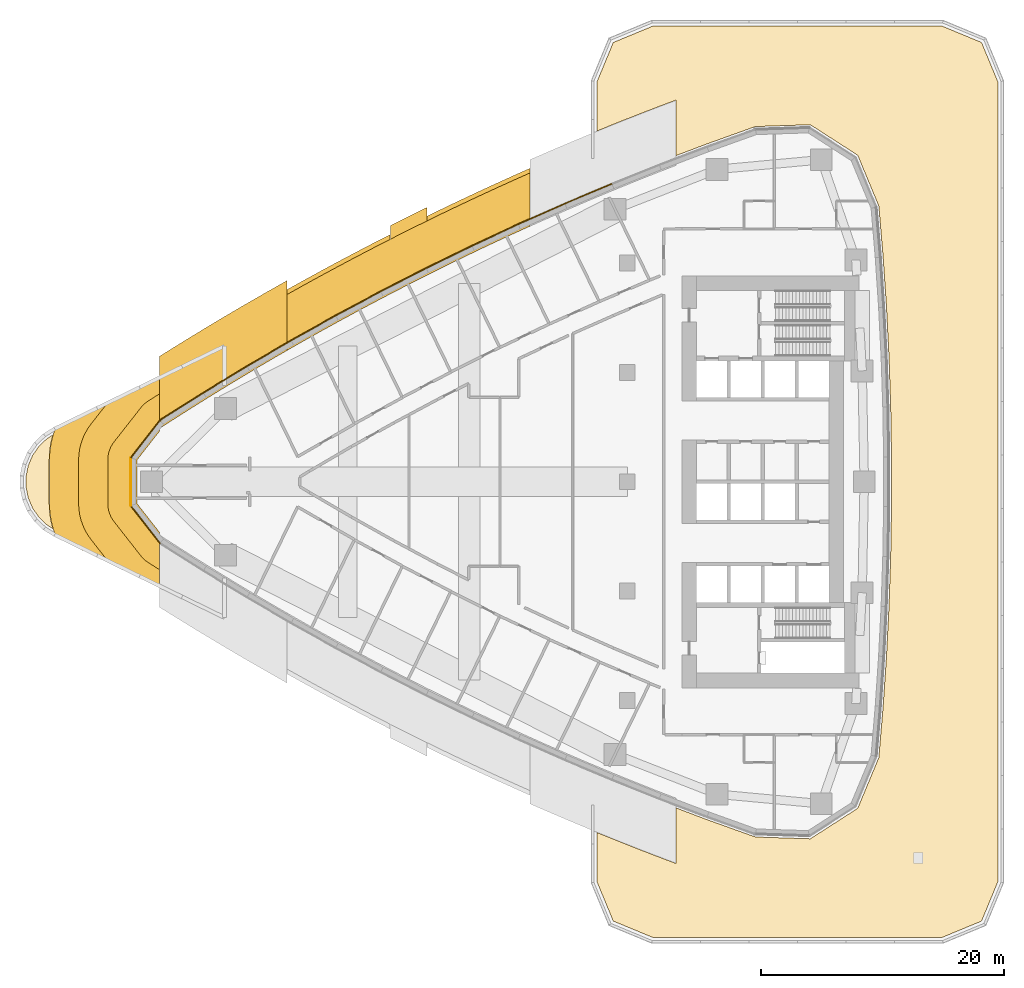
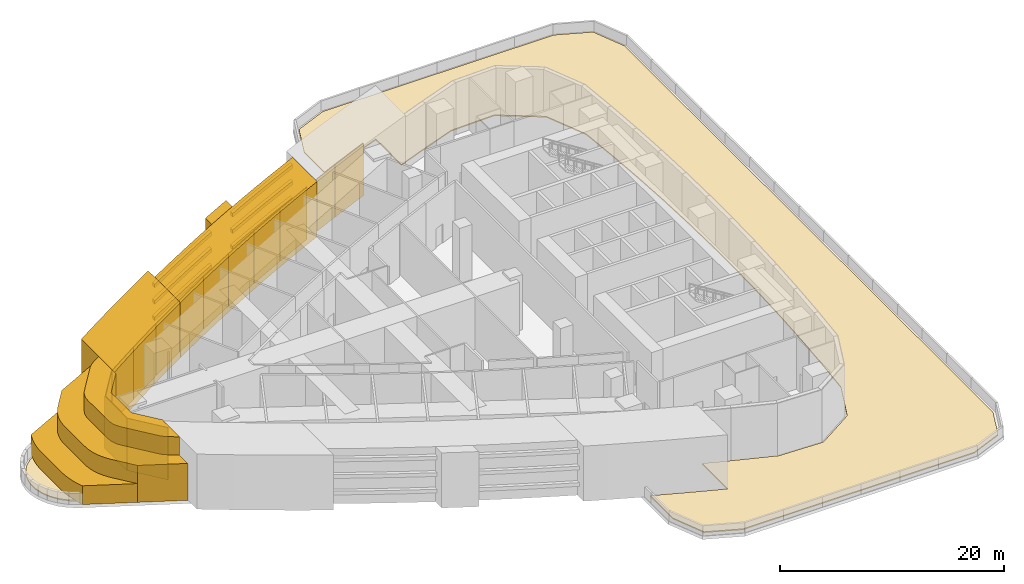
# One storey, part 10 of 14: 27 coverings.
"""IFC4 building model written with IfcOpenShell, lengths in metres."""

from ifc_helpers import new_model, si_unit, direction, frame, origin, place, context, subcontext, project, spatial, polyline, outline, extrude, material, layer, layer_set, type_object, element, save


model = new_model("IFC4")

# Units and contexts
model_context = context("Model", 3, precision=1e-05, world=origin(), true_north=direction((0.0, 1.0)))
body_context = subcontext(model_context, "Body", "Model", "MODEL_VIEW")
ifc_project = project(units=[si_unit("LENGTHUNIT", "METRE"), si_unit("AREAUNIT", "SQUARE_METRE"), si_unit("VOLUMEUNIT", "CUBIC_METRE"), si_unit("PLANEANGLEUNIT", "RADIAN"), si_unit("MASSUNIT", "GRAM", prefix="KILO")], contexts=[model_context])

# Site, building, storey
site_placement = place(None, origin())
site = spatial("IfcSite", under=ifc_project, at=site_placement, CompositionType="ELEMENT")
building_placement = place(site_placement, origin())
building = spatial("IfcBuilding", under=site, at=building_placement, Name="Ostrand Prow Hotel Tower", CompositionType="ELEMENT")
storey_placement = place(building_placement, frame((0.0, 0.0, 29.0)))
storey = spatial("IfcBuildingStorey", under=building, at=storey_placement, Name="L05", CompositionType="ELEMENT", Elevation=29.0)

# Coverings
ifc_material_1 = material(Name="Limestone cladding", Category="masonry")
ifc_layer_1 = layer(ifc_material_1, 5.0)
ifc_layer_set_1 = layer_set([ifc_layer_1], Name="Limestone cladding")
covering_type_1 = type_object("IfcCoveringType", Name="Portal jamb pilaster limestone", PredefinedType="CLADDING", material=ifc_layer_set_1)
covering_1_placement = place(storey_placement, origin())
element("IfcCovering", 1, at=covering_1_placement, inside=storey, type_object=covering_type_1, Name="Portal jamb NA L05", PredefinedType="CLADDING", context=body_context, shape_type="SweptSolid", body=[
    extrude(outline(polyline([(6.5, 4.3837890625), (7.45458984375, 5.00048828125), (8.4091796875, 5.610595703125), (9.363525390625, 6.214111328125), (10.318115234375, 6.810791015625), (11.272705078125, 7.401123046875), (12.227294921875, 7.98486328125), (13.181884765625, 8.562255859375), (14.136474609375, 9.13330078125), (15.0908203125, 9.697998046875), (16.04541015625, 10.25634765625), (17.0, 10.80859375), (17.0, 16.556640625), (16.04541015625, 16.020263671875), (15.0908203125, 15.4775390625), (14.136474609375, 14.92919921875), (13.181884765625, 14.37451171875), (12.227294921875, 13.81396484375), (11.272705078125, 13.247314453125), (10.318115234375, 12.67431640625), (9.363525390625, 12.09521484375), (8.4091796875, 11.509521484375), (7.45458984375, 10.917724609375), (6.5, 10.319580078125), (6.5, 4.3837890625)])), origin(), (0.0, 0.0, 1.0), 6.0),
])
ifc_material_2 = material(Name="Limestone cladding", Category="masonry")
ifc_layer_2 = layer(ifc_material_2, 1.0)
ifc_layer_set_2 = layer_set([ifc_layer_2], Name="Limestone cladding")
covering_type_2 = type_object("IfcCoveringType", Name="Portal keystone limestone", PredefinedType="CLADDING", material=ifc_layer_set_2)
covering_2_placement = place(storey_placement, origin())
element("IfcCovering", 2, at=covering_2_placement, inside=storey, type_object=covering_type_2, Name="Portal keystone N L05", PredefinedType="CLADDING", context=body_context, shape_type="SweptSolid", body=[
    extrude(outline(polyline([(27.0, 21.83251953125), (25.5, 21.080322265625), (25.5, 19.958740234375), (25.5712890625, 19.995361328125), (27.0, 20.71533203125), (28.4287109375, 21.4228515625), (28.5, 21.457763671875), (28.5, 22.5712890625), (27.0, 21.83251953125)])), origin(), (0.0, 0.0, 1.0), 6.0),
])
ifc_material_3 = material(Name="Limestone cladding", Category="masonry")
ifc_layer_3 = layer(ifc_material_3, 0.35009765625)
ifc_layer_set_3 = layer_set([ifc_layer_3], Name="Limestone cladding")
covering_type_3 = type_object("IfcCoveringType", Name="Portal lintel course limestone 350 mm", PredefinedType="CLADDING", material=ifc_layer_set_3)
covering_3_placement = place(storey_placement, frame((0.0, 0.0, 1.199951171875)))
element("IfcCovering", 3, at=covering_3_placement, inside=storey, type_object=covering_type_3, Name="Portal lintel course N L05.1 1", PredefinedType="CLADDING", context=body_context, shape_type="SweptSolid", body=[
    extrude(outline(polyline([(19.857177734375, 17.388671875), (18.4287109375, 16.606689453125), (17.010009765625, 15.8173828125), (17.010009765625, 15.416015625), (18.4287109375, 16.206787109375), (19.857177734375, 16.990234375), (21.28564453125, 17.7607421875), (22.71435546875, 18.518310546875), (24.142822265625, 19.26318359375), (25.47998046875, 19.948486328125), (25.47998046875, 20.34130859375), (24.142822265625, 19.656982421875), (22.71435546875, 18.91357421875), (21.28564453125, 18.157470703125), (19.857177734375, 17.388671875)])), origin(), (0.0, 0.0, 1.0), 0.400146484375),
])
covering_4_placement = place(storey_placement, frame((0.0, 0.0, 1.199951171875)))
element("IfcCovering", 4, at=covering_4_placement, inside=storey, type_object=covering_type_3, Name="Portal lintel course N L05.1 2", PredefinedType="CLADDING", context=body_context, shape_type="SweptSolid", body=[
    extrude(outline(polyline([(29.857177734375, 22.5068359375), (28.52001953125, 21.857177734375), (28.52001953125, 21.46728515625), (29.857177734375, 22.118408203125), (31.28564453125, 22.801513671875), (32.71435546875, 23.472900390625), (34.142822265625, 24.132568359375), (35.5712890625, 24.780517578125), (36.989990234375, 25.412109375), (36.989990234375, 25.794921875), (35.5712890625, 25.1640625), (34.142822265625, 24.517333984375), (32.71435546875, 23.859130859375), (31.28564453125, 23.18896484375), (29.857177734375, 22.5068359375)])), origin(), (0.0, 0.0, 1.0), 0.400146484375),
])
covering_5_placement = place(storey_placement, frame((0.0, 0.0, 3.0)))
element("IfcCovering", 5, at=covering_5_placement, inside=storey, type_object=covering_type_3, Name="Portal lintel course N L05.2 1", PredefinedType="CLADDING", context=body_context, shape_type="SweptSolid", body=[
    extrude(outline(polyline([(19.857177734375, 17.388671875), (18.4287109375, 16.606689453125), (17.010009765625, 15.8173828125), (17.010009765625, 15.416015625), (18.4287109375, 16.206787109375), (19.857177734375, 16.990234375), (21.28564453125, 17.7607421875), (22.71435546875, 18.518310546875), (24.142822265625, 19.26318359375), (25.47998046875, 19.948486328125), (25.47998046875, 20.34130859375), (24.142822265625, 19.656982421875), (22.71435546875, 18.91357421875), (21.28564453125, 18.157470703125), (19.857177734375, 17.388671875)])), origin(), (0.0, 0.0, 1.0), 0.39990234375),
])
covering_6_placement = place(storey_placement, frame((0.0, 0.0, 3.0)))
element("IfcCovering", 6, at=covering_6_placement, inside=storey, type_object=covering_type_3, Name="Portal lintel course N L05.2 2", PredefinedType="CLADDING", context=body_context, shape_type="SweptSolid", body=[
    extrude(outline(polyline([(29.857177734375, 22.5068359375), (28.52001953125, 21.857177734375), (28.52001953125, 21.46728515625), (29.857177734375, 22.118408203125), (31.28564453125, 22.801513671875), (32.71435546875, 23.472900390625), (34.142822265625, 24.132568359375), (35.5712890625, 24.780517578125), (36.989990234375, 25.412109375), (36.989990234375, 25.794921875), (35.5712890625, 25.1640625), (34.142822265625, 24.517333984375), (32.71435546875, 23.859130859375), (31.28564453125, 23.18896484375), (29.857177734375, 22.5068359375)])), origin(), (0.0, 0.0, 1.0), 0.39990234375),
])
covering_7_placement = place(storey_placement, frame((0.0, 0.0, 4.800048828125)))
element("IfcCovering", 7, at=covering_7_placement, inside=storey, type_object=covering_type_3, Name="Portal lintel course N L05.3 1", PredefinedType="CLADDING", context=body_context, shape_type="SweptSolid", body=[
    extrude(outline(polyline([(19.857177734375, 17.388671875), (18.4287109375, 16.606689453125), (17.010009765625, 15.8173828125), (17.010009765625, 15.416015625), (18.4287109375, 16.206787109375), (19.857177734375, 16.990234375), (21.28564453125, 17.7607421875), (22.71435546875, 18.518310546875), (24.142822265625, 19.26318359375), (25.47998046875, 19.948486328125), (25.47998046875, 20.34130859375), (24.142822265625, 19.656982421875), (22.71435546875, 18.91357421875), (21.28564453125, 18.157470703125), (19.857177734375, 17.388671875)])), origin(), (0.0, 0.0, 1.0), 0.39990234375),
])
covering_8_placement = place(storey_placement, frame((0.0, 0.0, 4.800048828125)))
element("IfcCovering", 8, at=covering_8_placement, inside=storey, type_object=covering_type_3, Name="Portal lintel course N L05.3 2", PredefinedType="CLADDING", context=body_context, shape_type="SweptSolid", body=[
    extrude(outline(polyline([(29.857177734375, 22.5068359375), (28.52001953125, 21.857177734375), (28.52001953125, 21.46728515625), (29.857177734375, 22.118408203125), (31.28564453125, 22.801513671875), (32.71435546875, 23.472900390625), (34.142822265625, 24.132568359375), (35.5712890625, 24.780517578125), (36.989990234375, 25.412109375), (36.989990234375, 25.794921875), (35.5712890625, 25.1640625), (34.142822265625, 24.517333984375), (32.71435546875, 23.859130859375), (31.28564453125, 23.18896484375), (29.857177734375, 22.5068359375)])), origin(), (0.0, 0.0, 1.0), 0.39990234375),
])
ifc_material_4 = material(Name="Limestone cladding", Category="masonry")
ifc_layer_4 = layer(ifc_material_4, 4.0)
ifc_layer_set_4 = layer_set([ifc_layer_4], Name="Limestone cladding")
covering_type_4 = type_object("IfcCoveringType", Name="Portal lintel limestone", PredefinedType="CLADDING", material=ifc_layer_set_4)
covering_9_placement = place(storey_placement, origin())
element("IfcCovering", 9, at=covering_9_placement, inside=storey, type_object=covering_type_4, Name="Portal lintel N L05", PredefinedType="CLADDING", context=body_context, shape_type="SweptSolid", body=[
    extrude(outline(polyline([(18.4287109375, 16.206787109375), (17.010009765625, 15.416015625), (17.010009765625, 10.814453125), (18.4287109375, 11.623779296875), (19.857177734375, 12.42529296875), (21.28564453125, 13.213134765625), (22.71435546875, 13.98779296875), (24.142822265625, 14.74951171875), (25.5712890625, 15.498291015625), (27.0, 16.234130859375), (28.4287109375, 16.957275390625), (29.857177734375, 17.667724609375), (31.28564453125, 18.365966796875), (32.71435546875, 19.052001953125), (34.142822265625, 19.7255859375), (35.5712890625, 20.38720703125), (36.990966796875, 21.03271484375), (36.99072265625, 21.033203125), (36.990478515625, 21.033935546875), (36.990234375, 21.034912109375), (36.989990234375, 21.035888671875), (36.989990234375, 21.037109375), (36.989990234375, 25.412109375), (35.5712890625, 24.780517578125), (34.142822265625, 24.132568359375), (32.71435546875, 23.472900390625), (31.28564453125, 22.801513671875), (29.857177734375, 22.118408203125), (28.4287109375, 21.4228515625), (27.0, 20.71533203125), (25.5712890625, 19.995361328125), (24.142822265625, 19.26318359375), (22.71435546875, 18.518310546875), (21.28564453125, 17.7607421875), (19.857177734375, 16.990234375), (18.4287109375, 16.206787109375)])), origin(), (0.0, 0.0, 1.0), 6.0),
])
ifc_material_5 = material(Name="Limestone cladding", Category="masonry")
ifc_layer_5 = layer(ifc_material_5, 2.39990234375)
ifc_layer_set_5 = layer_set([ifc_layer_5], Name="Limestone cladding")
covering_type_5 = type_object("IfcCoveringType", Name="Prow plinth limestone", PredefinedType="CLADDING", material=ifc_layer_set_5)
covering_10_placement = place(storey_placement, origin())
element("IfcCovering", 10, at=covering_10_placement, inside=storey, type_object=covering_type_5, Name="Prow buttress step 1 L05", PredefinedType="CLADDING", context=body_context, shape_type="SweptSolid", body=[
    extrude(outline(polyline([(4.649169921875, -1.793701171875), (4.649169921875, 1.793701171875), (6.5, 4.156982421875), (6.5, 4.373779296875), (6.5, 4.373779296875), (6.498779296875, 4.373779296875), (6.498046875, 4.3740234375), (6.4970703125, 4.374267578125), (6.49609375, 4.37451171875), (6.4951171875, 4.375), (6.494384765625, 4.37548828125), (6.49365234375, 4.376220703125), (6.492919921875, 4.376708984375), (6.4921875, 4.37744140625), (6.49169921875, 4.37841796875), (6.4912109375, 4.379150390625), (6.49072265625, 4.3798828125), (6.490478515625, 4.381103515625), (6.490234375, 4.3818359375), (6.489990234375, 4.3828125), (6.489990234375, 4.3837890625), (6.489990234375, 7.224365234375), (5.57568359375, 6.644775390625), (5.35400390625, 6.485595703125), (5.151611328125, 6.302490234375), (4.97119140625, 6.097412109375), (2.759521484375, 3.273193359375), (2.6279296875, 3.087646484375), (2.514404296875, 2.89013671875), (2.419921875, 2.68310546875), (2.345703125, 2.4677734375), (2.292236328125, 2.246337890625), (2.260009765625, 2.02099609375), (2.249267578125, 1.793701171875), (2.249267578125, -1.793701171875), (2.260009765625, -2.02099609375), (2.292236328125, -2.246337890625), (2.345703125, -2.4677734375), (2.419921875, -2.68310546875), (2.514404296875, -2.89013671875), (2.6279296875, -3.087646484375), (2.759521484375, -3.273193359375), (4.97119140625, -6.097412109375), (5.151611328125, -6.302490234375), (5.35400390625, -6.485595703125), (5.57568359375, -6.644775390625), (6.489990234375, -7.224365234375), (6.489990234375, -4.3837890625), (6.489990234375, -4.3828125), (6.490234375, -4.3818359375), (6.490478515625, -4.381103515625), (6.49072265625, -4.3798828125), (6.4912109375, -4.379150390625), (6.49169921875, -4.37841796875), (6.4921875, -4.37744140625), (6.492919921875, -4.376708984375), (6.49365234375, -4.376220703125), (6.494384765625, -4.37548828125), (6.4951171875, -4.375), (6.49609375, -4.37451171875), (6.4970703125, -4.374267578125), (6.498046875, -4.3740234375), (6.498779296875, -4.373779296875), (6.5, -4.373779296875), (6.5, -4.373779296875), (6.5, -4.156982421875), (4.649169921875, -1.793701171875)])), origin(), (0.0, 0.0, 1.0), 6.0),
])
covering_11_placement = place(storey_placement, origin())
element("IfcCovering", 11, at=covering_11_placement, inside=storey, type_object=covering_type_5, Name="Prow buttress step 2 L05", PredefinedType="CLADDING", context=body_context, shape_type="SweptSolid", body=[
    extrude(outline(polyline([(0.379638671875, -3.98681640625), (0.606689453125, -4.381591796875), (0.8701171875, -4.7529296875), (2.4326171875, -6.748291015625), (6.489990234375, -8.726318359375), (6.489990234375, -7.224365234375), (5.57568359375, -6.644775390625), (5.35400390625, -6.485595703125), (5.151611328125, -6.302490234375), (4.97119140625, -6.097412109375), (2.759521484375, -3.273193359375), (2.6279296875, -3.087646484375), (2.514404296875, -2.89013671875), (2.419921875, -2.68310546875), (2.345703125, -2.4677734375), (2.292236328125, -2.246337890625), (2.260009765625, -2.02099609375), (2.249267578125, -1.793701171875), (2.249267578125, 1.793701171875), (2.260009765625, 2.02099609375), (2.292236328125, 2.246337890625), (2.345703125, 2.4677734375), (2.419921875, 2.68310546875), (2.514404296875, 2.89013671875), (2.6279296875, 3.087646484375), (2.759521484375, 3.273193359375), (4.97119140625, 6.097412109375), (5.151611328125, 6.302490234375), (5.35400390625, 6.485595703125), (5.57568359375, 6.644775390625), (6.489990234375, 7.224365234375), (6.489990234375, 8.726318359375), (2.4326171875, 6.748291015625), (0.8701171875, 4.7529296875), (0.606689453125, 4.381591796875), (0.379638671875, 3.98681640625), (0.19091796875, 3.572509765625), (0.04248046875, 3.141845703125), (-0.064697265625, 2.69921875), (-0.129150390625, 2.248291015625), (-0.15087890625, 1.793701171875), (-0.15087890625, -1.793701171875), (-0.129150390625, -2.248291015625), (-0.064697265625, -2.69921875), (0.04248046875, -3.141845703125), (0.19091796875, -3.572509765625), (0.379638671875, -3.98681640625)])), origin(), (0.0, 0.0, 1.0), 4.02001953125),
])
covering_12_placement = place(storey_placement, origin())
element("IfcCovering", 12, at=covering_12_placement, inside=storey, type_object=covering_type_5, Name="Prow buttress step 3 L05", PredefinedType="CLADDING", context=body_context, shape_type="SweptSolid", body=[
    extrude(outline(polyline([(-2.42138671875, -3.152099609375), (-2.260986328125, -3.81591796875), (-2.0380859375, -4.4619140625), (-1.9755859375, -4.599365234375), (2.4326171875, -6.748291015625), (0.8701171875, -4.7529296875), (0.606689453125, -4.381591796875), (0.379638671875, -3.98681640625), (0.19091796875, -3.572509765625), (0.04248046875, -3.141845703125), (-0.064697265625, -2.69921875), (-0.129150390625, -2.248291015625), (-0.15087890625, -1.793701171875), (-0.15087890625, 1.793701171875), (-0.129150390625, 2.248291015625), (-0.064697265625, 2.69921875), (0.04248046875, 3.141845703125), (0.19091796875, 3.572509765625), (0.379638671875, 3.98681640625), (0.606689453125, 4.381591796875), (0.8701171875, 4.7529296875), (2.4326171875, 6.748291015625), (-1.9755859375, 4.599365234375), (-2.0380859375, 4.4619140625), (-2.260986328125, 3.81591796875), (-2.42138671875, 3.152099609375), (-2.518310546875, 2.475830078125), (-2.55078125, 1.793701171875), (-2.55078125, -1.793701171875), (-2.518310546875, -2.475830078125), (-2.42138671875, -3.152099609375)])), origin(), (0.0, 0.0, 1.0), 2.0400390625),
])
ifc_material_6 = material(Name="Bituminous membrane, insulation and stone ballast", Category="masonry")
ifc_layer_6 = layer(ifc_material_6, 0.1201171875)
ifc_layer_set_6 = layer_set([ifc_layer_6], Name="Bituminous membrane, insulation and stone ballast")
covering_type_6 = type_object("IfcCoveringType", Name="Roof build-up membrane, insulation and stone ballast 120 mm", PredefinedType="ROOFING", material=ifc_layer_set_6)
covering_13_placement = place(storey_placement, origin())
element("IfcCovering", 13, at=covering_13_placement, inside=storey, type_object=covering_type_6, Name="Roof build-up Podium roof slab 1", PredefinedType="ROOFING", context=body_context, shape_type="SweptSolid", body=[
    extrude(outline(polyline([(-2.74560546875, -3.56201171875), (-2.267578125, -3.858642578125), (-2.27978515625, -3.822509765625), (-2.280517578125, -3.82080078125), (-2.44091796875, -3.15673828125), (-2.44140625, -3.15478515625), (-2.5380859375, -2.478759765625), (-2.538330078125, -2.476806640625), (-2.57080078125, -1.79443359375), (-2.57080078125, -1.793701171875), (-2.57080078125, 1.793701171875), (-2.57080078125, 1.79443359375), (-2.538330078125, 2.476806640625), (-2.5380859375, 2.478759765625), (-2.44140625, 3.15478515625), (-2.44091796875, 3.15673828125), (-2.280517578125, 3.82080078125), (-2.27978515625, 3.822509765625), (-2.267578125, 3.858642578125), (-2.74560546875, 3.56201171875), (-3.407958984375, 2.934814453125), (-3.9296875, 2.18701171875), (-4.290283203125, 1.34912109375), (-4.47412109375, 0.4560546875), (-4.47412109375, -0.4560546875), (-4.290283203125, -1.34912109375), (-3.9296875, -2.18701171875), (-3.407958984375, -2.934814453125), (-2.74560546875, -3.56201171875)])), origin(), (0.0, 0.0, 1.0), 0.1201171875),
])
covering_14_placement = place(storey_placement, origin())
element("IfcCovering", 14, at=covering_14_placement, inside=storey, type_object=covering_type_6, Name="Roof build-up Podium roof slab 2", PredefinedType="ROOFING", context=body_context, shape_type="SweptSolid", body=[
    extrude(outline(polyline([(74.15283203125, 36.15283203125), (70.900390625, 37.5), (47.099609375, 37.5), (43.84716796875, 36.15283203125), (42.5, 32.900390625), (42.5, 28.861328125), (42.992431640625, 29.062744140625), (42.992431640625, 29.062744140625), (43.992431640625, 29.466064453125), (43.99267578125, 29.46630859375), (44.99267578125, 29.8642578125), (44.99267578125, 29.8642578125), (45.99267578125, 30.2568359375), (45.992919921875, 30.257080078125), (46.992919921875, 30.644287109375), (46.992919921875, 30.644287109375), (47.992919921875, 31.0263671875), (47.992919921875, 31.0263671875), (48.992919921875, 31.4033203125), (48.994873046875, 31.40380859375), (48.99658203125, 31.404296875), (48.99853515625, 31.404541015625), (49.00048828125, 31.404541015625), (49.00244140625, 31.404296875), (49.00439453125, 31.404052734375), (49.006103515625, 31.403564453125), (49.008056640625, 31.40283203125), (49.009765625, 31.402099609375), (49.011474609375, 31.40087890625), (49.012939453125, 31.39990234375), (49.014404296875, 31.3984375), (49.015625, 31.39697265625), (49.0166015625, 31.3955078125), (49.017578125, 31.393798828125), (49.0185546875, 31.39208984375), (49.019287109375, 31.39013671875), (49.01953125, 31.38818359375), (49.02001953125, 31.386474609375), (49.02001953125, 31.384521484375), (49.02001953125, 26.83984375), (51.48388671875, 27.774658203125), (55.546142578125, 29.23095703125), (60.06298828125, 29.37890625), (63.961669921875, 26.87060546875), (65.69873046875, 22.698486328125), (66.052734375, 18.489501953125), (66.32861328125, 14.385986328125), (66.535400390625, 10.27880859375), (66.67333984375, 6.16845703125), (66.742431640625, 2.056396484375), (66.742431640625, -2.056396484375), (66.67333984375, -6.16845703125), (66.535400390625, -10.27880859375), (66.32861328125, -14.385986328125), (66.052734375, -18.489501953125), (65.69873046875, -22.698486328125), (63.961669921875, -26.87060546875), (60.06298828125, -29.37890625), (55.546142578125, -29.23095703125), (51.48388671875, -27.774658203125), (49.02001953125, -26.83984375), (49.02001953125, -31.384521484375), (49.02001953125, -31.386474609375), (49.01953125, -31.38818359375), (49.019287109375, -31.39013671875), (49.0185546875, -31.39208984375), (49.017578125, -31.393798828125), (49.0166015625, -31.3955078125), (49.015625, -31.39697265625), (49.014404296875, -31.3984375), (49.012939453125, -31.39990234375), (49.011474609375, -31.40087890625), (49.009765625, -31.402099609375), (49.008056640625, -31.40283203125), (49.006103515625, -31.403564453125), (49.00439453125, -31.404052734375), (49.00244140625, -31.404296875), (49.00048828125, -31.404541015625), (48.99853515625, -31.404541015625), (48.99658203125, -31.404296875), (48.994873046875, -31.40380859375), (48.992919921875, -31.4033203125), (47.992919921875, -31.0263671875), (47.992919921875, -31.0263671875), (46.992919921875, -30.644287109375), (46.992919921875, -30.644287109375), (45.992919921875, -30.257080078125), (45.99267578125, -30.2568359375), (44.99267578125, -29.8642578125), (44.99267578125, -29.8642578125), (43.99267578125, -29.46630859375), (43.992431640625, -29.466064453125), (42.992431640625, -29.062744140625), (42.992431640625, -29.062744140625), (42.5, -28.861328125), (42.5, -32.900390625), (43.84716796875, -36.15283203125), (47.099609375, -37.5), (70.900390625, -37.5), (74.15283203125, -36.15283203125), (75.5, -32.900390625), (75.5, 32.900390625), (74.15283203125, 36.15283203125)])), origin(), (0.0, 0.0, 1.0), 0.1201171875),
])
ifc_material_7 = material(Name="Limestone cladding", Category="masonry")
ifc_layer_7 = layer(ifc_material_7, 0.080078125)
ifc_layer_set_7 = layer_set([ifc_layer_7], Name="Limestone cladding")
covering_type_7 = type_object("IfcCoveringType", Name="Warm limestone cladding 80 mm", PredefinedType="CLADDING", material=ifc_layer_set_7)
covering_15_placement = place(storey_placement, frame((6.5673828125, 5.0712890625, 0.0), z_axis=(0.0, 0.0, 1.0), x_axis=(-0.616528819619, -0.787332340615, 0.0)))
element("IfcCovering", 15, at=covering_15_placement, inside=storey, type_object=covering_type_7, Name="Limestone cladding prow 1", PredefinedType="CLADDING", context=body_context, shape_type="SweptSolid", body=[
    extrude(outline(polyline([(0.0, -0.0400390625), (3.953125, -0.0400390625), (3.92529296875, 0.0400390625), (0.0, 0.0400390625), (0.0, -0.0400390625)])), origin(), (0.0, 0.0, 1.0), 5.699951171875),
])
covering_16_placement = place(storey_placement, frame((4.138671875, 1.9697265625, 0.0), z_axis=(0.0, 0.0, 1.0), x_axis=(0.0, -1.0, 0.0)))
element("IfcCovering", 16, at=covering_16_placement, inside=storey, type_object=covering_type_7, Name="Limestone cladding prow 2", PredefinedType="CLADDING", context=body_context, shape_type="SweptSolid", body=[
    extrude(outline(polyline([(-0.013916015625, -0.0400390625), (3.953369140625, -0.0400390625), (3.925537109375, 0.0400390625), (0.013916015625, 0.0400390625), (-0.013916015625, -0.0400390625)])), origin(), (0.0, 0.0, 1.0), 5.699951171875),
])
covering_17_placement = place(storey_placement, frame((4.138671875, -1.9697265625, 0.0), z_axis=(0.0, 0.0, 1.0), x_axis=(0.616528819619, -0.787332340615, 0.0)))
element("IfcCovering", 17, at=covering_17_placement, inside=storey, type_object=covering_type_7, Name="Limestone cladding prow 3", PredefinedType="CLADDING", context=body_context, shape_type="SweptSolid", body=[
    extrude(outline(polyline([(-0.013916015625, -0.0400390625), (3.946044921875, -0.0400390625), (3.932373046875, 0.0400390625), (0.013916015625, 0.0400390625), (-0.013916015625, -0.0400390625)])), origin(), (0.0, 0.0, 1.0), 5.699951171875),
])
for number, where, z_axis, x_axis, name in (
    (18, (43.730224609375, 24.5244140625, 0.0), (0.0, 0.0, 1.0), (-0.921304629992, -0.388841585682, 0.0), "Limestone cladding prow 37"),
    (19, (39.8603515625, 22.89111328125, 0.0), (0.0, 0.0, 1.0), (-0.913960086672, -0.405804090629, 0.0), "Limestone cladding prow 38"),
    (20, (36.021240234375, 21.1865234375, 0.0), (0.0, 0.0, 1.0), (-0.906343438698, -0.422541798085, 0.0), "Limestone cladding prow 39"),
    (21, (32.214111328125, 19.41162109375, 0.0), (0.0, 0.0, 1.0), (-0.898435827474, -0.439104843871, 0.0), "Limestone cladding prow 40"),
    (22, (28.440185546875, 17.567138671875, 0.0), (0.0, 0.0, 1.0), (-0.890167577809, -0.455633277339, 0.0), "Limestone cladding prow 41"),
    (23, (24.701171875, 15.6533203125, 0.0), (0.0, 0.0, 1.0), (-0.88165531262, -0.471893960259, 0.0), "Limestone cladding prow 42"),
):
    element("IfcCovering", number, at=place(storey_placement, frame(where, z_axis=z_axis, x_axis=x_axis)), inside=storey, type_object=covering_type_7, Name=name, PredefinedType="CLADDING", context=body_context, shape_type="SweptSolid", body=[
        extrude(outline(polyline([(-0.00048828125, -0.0400390625), (4.200927734375, -0.0400390625), (4.199951171875, 0.0400390625), (0.00048828125, 0.0400390625), (-0.00048828125, -0.0400390625)])), origin(), (0.0, 0.0, 1.0), 5.699951171875),
    ])
covering_18_placement = place(storey_placement, frame((20.997802734375, 13.671142578125, 0.0), z_axis=(0.0, 0.0, 1.0), x_axis=(-0.872829902473, -0.488024549945, 0.0)))
element("IfcCovering", 24, at=covering_18_placement, inside=storey, type_object=covering_type_7, Name="Limestone cladding prow 43", PredefinedType="CLADDING", context=body_context, shape_type="SweptSolid", body=[
    extrude(outline(polyline([(-0.00048828125, -0.0400390625), (4.201171875, -0.0400390625), (4.2001953125, 0.0400390625), (0.00048828125, 0.0400390625), (-0.00048828125, -0.0400390625)])), origin(), (0.0, 0.0, 1.0), 5.699951171875),
])
for number, where, z_axis, x_axis, name in (
    (25, (17.331298828125, 11.62109375, 0.0), (0.0, 0.0, 1.0), (-0.863686132712, -0.504030023074, 0.0), "Limestone cladding prow 44"),
    (26, (13.703369140625, 9.50390625, 0.0), (0.0, 0.0, 1.0), (-0.854265888914, -0.519836311773, 0.0), "Limestone cladding prow 45"),
):
    element("IfcCovering", number, at=place(storey_placement, frame(where, z_axis=z_axis, x_axis=x_axis)), inside=storey, type_object=covering_type_7, Name=name, PredefinedType="CLADDING", context=body_context, shape_type="SweptSolid", body=[
        extrude(outline(polyline([(-0.00048828125, -0.0400390625), (4.200927734375, -0.0400390625), (4.199951171875, 0.0400390625), (0.00048828125, 0.0400390625), (-0.00048828125, -0.0400390625)])), origin(), (0.0, 0.0, 1.0), 5.699951171875),
    ])
covering_19_placement = place(storey_placement, frame((10.114990234375, 7.3203125, 0.0), z_axis=(0.0, 0.0, 1.0), x_axis=(-0.844581661729, -0.535426761258, 0.0)))
element("IfcCovering", 27, at=covering_19_placement, inside=storey, type_object=covering_type_7, Name="Limestone cladding prow 46", PredefinedType="CLADDING", context=body_context, shape_type="SweptSolid", body=[
    extrude(outline(polyline([(-0.00048828125, -0.0400390625), (4.200439453125, -0.0400390625), (4.200439453125, 0.0400390625), (0.00048828125, 0.0400390625), (-0.00048828125, -0.0400390625)])), origin(), (0.0, 0.0, 1.0), 5.699951171875),
])

save(model, "model.ifc")
